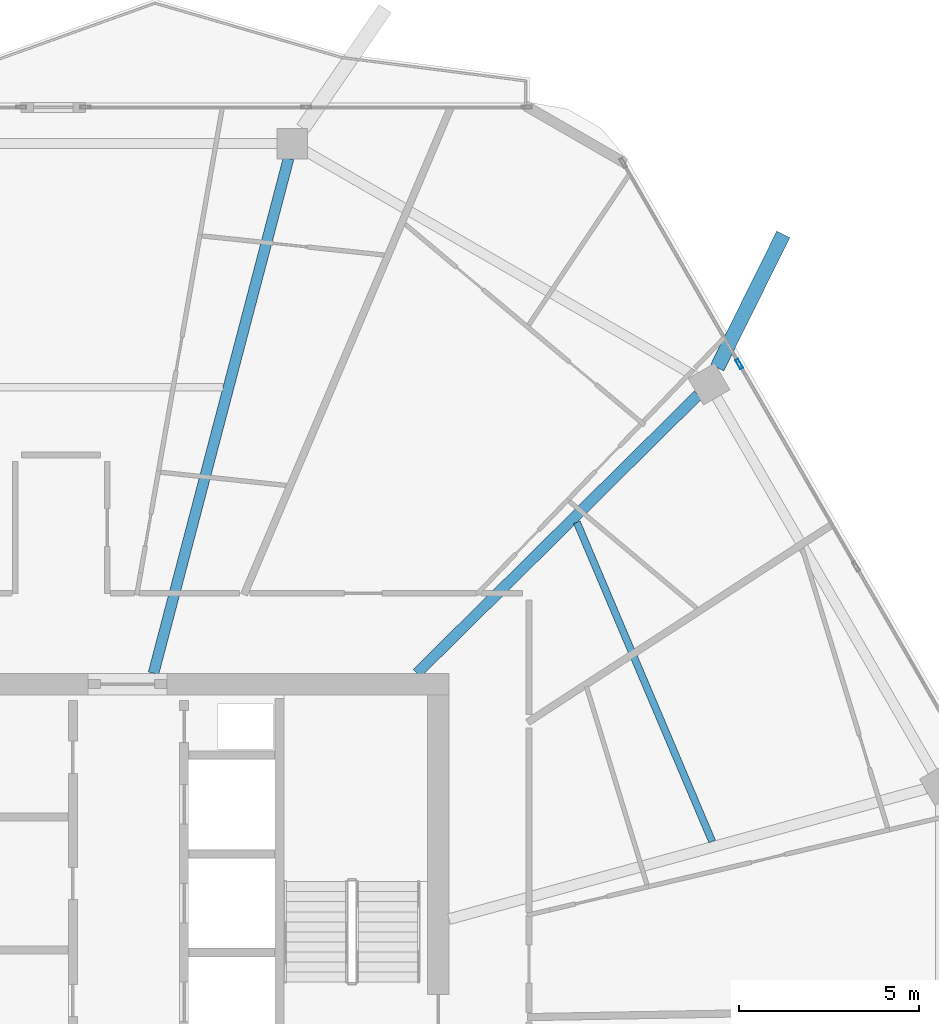
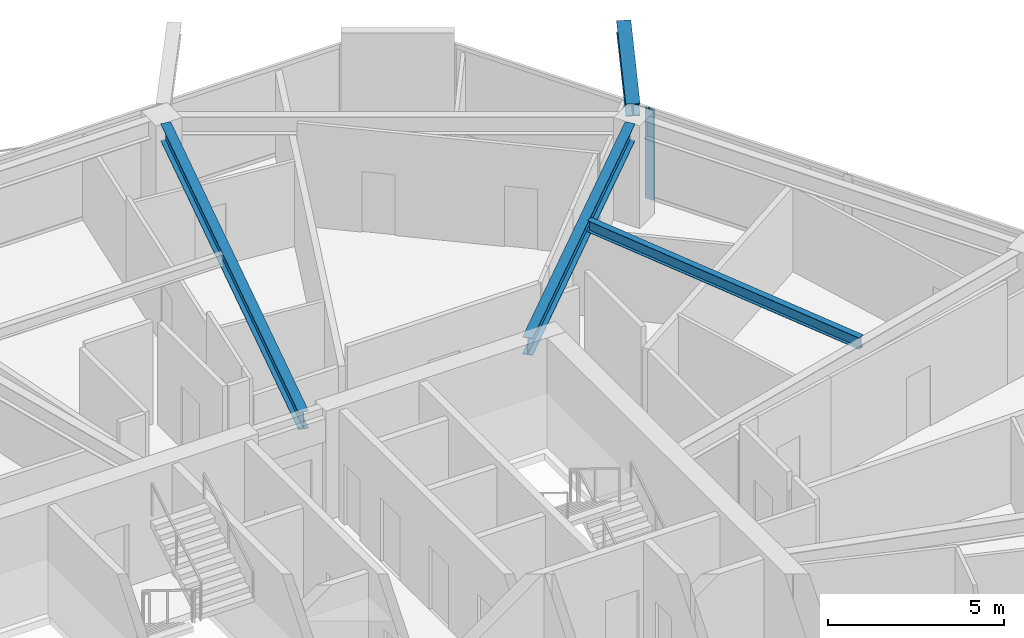
# One storey, part 15 of 26: 4 beams, 1 member, 1 element without a shape of its own.
"""IFC4 building model written with IfcOpenShell, lengths in metres."""

from ifc_helpers import new_model, si_unit, direction, frame, origin, origin_2d, place, context, subcontext, project, spatial, hollow_rectangle, i_section, extrude, material, material_profile, profile_set, type_object, element, aggregate, save


model = new_model("IFC4")

# Units and contexts
model_context = context("Model", 3, precision=1e-05, world=origin(), true_north=direction((0.0, 1.0)))
body_context = subcontext(model_context, "Body", "Model", "MODEL_VIEW")
ifc_project = project(units=[si_unit("LENGTHUNIT", "METRE"), si_unit("AREAUNIT", "SQUARE_METRE"), si_unit("VOLUMEUNIT", "CUBIC_METRE"), si_unit("PLANEANGLEUNIT", "RADIAN"), si_unit("MASSUNIT", "GRAM", prefix="KILO")], contexts=[model_context])

# Site, building, storey
site_placement = place(None, origin())
site = spatial("IfcSite", under=ifc_project, at=site_placement, CompositionType="ELEMENT")
building_placement = place(site_placement, origin())
building = spatial("IfcBuilding", under=site, at=building_placement, Name="Zuhravey Tower", CompositionType="ELEMENT")
storey_placement = place(building_placement, frame((0.0, 0.0, 288.199951171875)))
storey = spatial("IfcBuildingStorey", under=building, at=storey_placement, Name="L73", CompositionType="ELEMENT", Elevation=288.199951171875)

# Curtain wall, member
ifc_material_1 = material(Name="Thermally broken anodised aluminium", Category="aluminium")
curtain_wall_type = type_object("IfcCurtainWallType", Name="Zone 3-4 High-Rise Curtain Wall CW4", PredefinedType="NOTDEFINED", material=ifc_material_1)
curtain_wall_placement = place(storey_placement, origin())
curtain_wall = element("IfcCurtainWall", 1, at=curtain_wall_placement, inside=storey, type_object=curtain_wall_type, Name="L73 CW4 CW-L73-F1-1", PredefinedType="NOTDEFINED")
ifc_material_2 = material(Name="Anodised aluminium", Category="aluminium")
ifc_material_profile_1 = material_profile(ifc_material_2, hollow_rectangle(XDim=0.090087890625, YDim=0.284912109375, WallThickness=0.0048828125, at=origin_2d()), Name="ALU-RHS-90x285x5")
ifc_profile_set_1 = profile_set([ifc_material_profile_1], Name="Anodised aluminium")
member_type = type_object("IfcMemberType", Name="Curtain-Wall Mullion 90x180", PredefinedType="MULLION", material=ifc_profile_set_1)
member_placement = place(storey_placement, frame((54.885498046875, 50.41650390625, 0.0), z_axis=(0.0, 0.0, 1.0), x_axis=(0.866024851021, 0.500000957414, 0.0)))
member = element("IfcMember", 2, at=member_placement, type_object=member_type, Name="CW4 mullion 2", PredefinedType="MULLION", context=body_context, shape_type="SweptSolid", body=[
    extrude(hollow_rectangle(XDim=0.090087890625, YDim=0.284912109375, WallThickness=0.0048828125, at=origin_2d()), origin(), (0.0, 0.0, 1.0), 3.1220703125),
])
aggregate(curtain_wall, [member])

# Beams
ifc_material_3 = material(Name="Steel SM460", Category="steel")
ifc_material_profile_2 = material_profile(ifc_material_3, i_section(OverallWidth=0.406982421875, OverallDepth=0.427978515625, WebThickness=0.02001953125, FlangeThickness=0.034912109375, at=origin_2d()), Name="H-428x407x20x35")
ifc_profile_set_2 = profile_set([ifc_material_profile_2], Name="Steel SM460")
beam_type_1 = type_object("IfcBeamType", Name="Exoskeleton Node Tie Beam H428x407", PredefinedType="BEAM", material=ifc_profile_set_2)
beam_1_placement = place(storey_placement, frame((54.27197265625, 50.315673828125, 3.3359375), z_axis=(0.444099365192, 0.895977540922, 0.0), x_axis=(-0.895977540922, 0.444099365192, 0.0)))
element("IfcBeam", 3, at=beam_1_placement, inside=storey, type_object=beam_type_1, Name="L73 Exoskeleton Node Tie NT1-02", PredefinedType="BEAM", context=body_context, shape_type="SweptSolid", body=[
    extrude(i_section(OverallWidth=0.406982421875, OverallDepth=0.427978515625, WebThickness=0.02001953125, FlangeThickness=0.034912109375, at=origin_2d()), origin(), (0.0, 0.0, 1.0), 4.142822265625),
])
ifc_material_4 = material(Name="Steel SM355", Category="steel")
ifc_material_profile_3 = material_profile(ifc_material_4, i_section(OverallWidth=0.300048828125, OverallDepth=0.60009765625, WebThickness=0.011962890625, FlangeThickness=0.02001953125, at=origin_2d()), Name="H-600x300x12x20")
ifc_profile_set_3 = profile_set([ifc_material_profile_3], Name="Steel SM355")
beam_type_2 = type_object("IfcBeamType", Name="Radial Primary Girder H600x300", PredefinedType="BEAM", material=ifc_profile_set_3)
beam_2_placement = place(storey_placement, frame((45.90673828125, 41.802978515625, 3.25), z_axis=(0.710808169267, 0.70338591577, 0.0), x_axis=(-0.70338591577, 0.710808169267, 0.0)))
element("IfcBeam", 4, at=beam_2_placement, inside=storey, type_object=beam_type_2, Name="L73 RG3 BM-L73-RAD-02", PredefinedType="BEAM", context=body_context, shape_type="SweptSolid", body=[
    extrude(i_section(OverallWidth=0.300048828125, OverallDepth=0.60009765625, WebThickness=0.011962890625, FlangeThickness=0.02001953125, at=origin_2d()), origin(), (0.0, 0.0, 1.0), 11.019287109375),
])
beam_3_placement = place(storey_placement, frame((38.571533203125, 41.802978515625, 3.25), z_axis=(0.25373188956, 0.967274587809, 0.0), x_axis=(-0.967274587809, 0.25373188956, 0.0)))
element("IfcBeam", 5, at=beam_3_placement, inside=storey, type_object=beam_type_2, Name="L73 RG3 BM-L73-RAD-03", PredefinedType="BEAM", context=body_context, shape_type="SweptSolid", body=[
    extrude(i_section(OverallWidth=0.300048828125, OverallDepth=0.60009765625, WebThickness=0.011962890625, FlangeThickness=0.02001953125, at=origin_2d()), origin(), (0.0, 0.0, 1.0), 14.82177734375),
])
ifc_material_profile_4 = material_profile(ifc_material_4, i_section(OverallWidth=0.199951171875, OverallDepth=0.39990234375, WebThickness=0.008056640625, FlangeThickness=0.012939453125, at=origin_2d()), Name="H-400x200x8x13")
ifc_profile_set_4 = profile_set([ifc_material_profile_4], Name="Steel SM355")
beam_type_3 = type_object("IfcBeamType", Name="Secondary Floor Joist H400x200", PredefinedType="JOIST", material=ifc_profile_set_4)
beam_4_placement = place(storey_placement, frame((54.130859375, 37.118896484375, 3.35009765625), z_axis=(-0.390413493754, 0.920639616731, 0.0), x_axis=(-0.920639616731, -0.390413493754, 0.0)))
element("IfcBeam", 6, at=beam_4_placement, inside=storey, type_object=beam_type_3, Name="L73 SJ2 BM-L73-SJ-01-1", PredefinedType="JOIST", context=body_context, shape_type="SweptSolid", body=[
    extrude(i_section(OverallWidth=0.199951171875, OverallDepth=0.39990234375, WebThickness=0.008056640625, FlangeThickness=0.012939453125, at=origin_2d()), origin(), (0.0, 0.0, 1.0), 9.656494140625),
])

save(model, "model.ifc")
